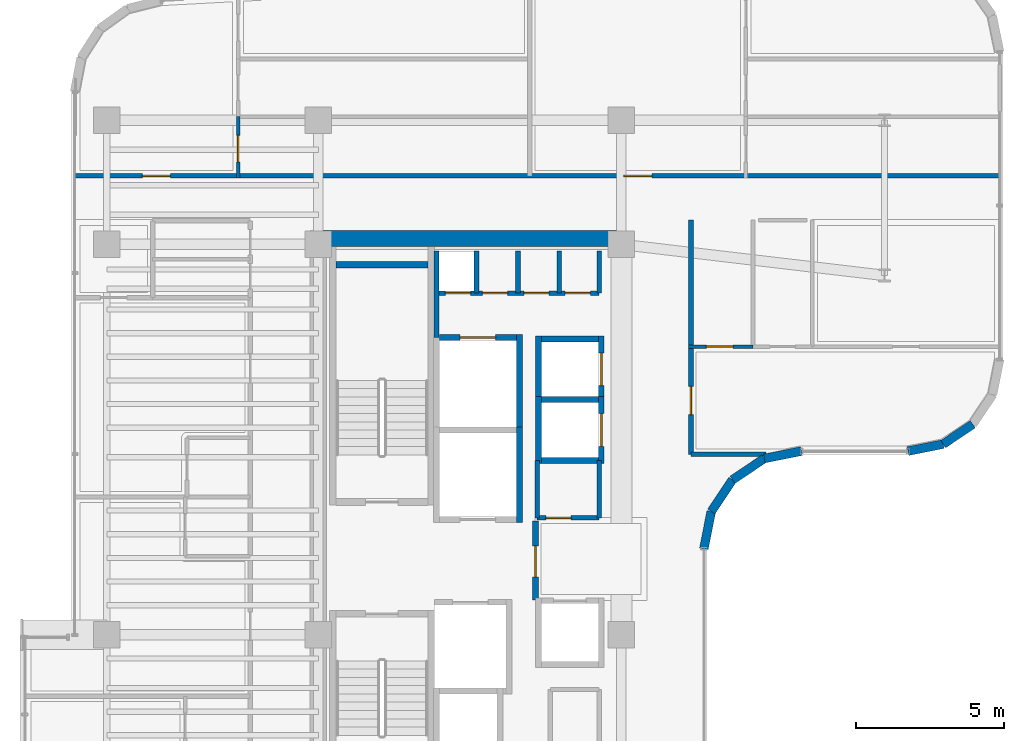
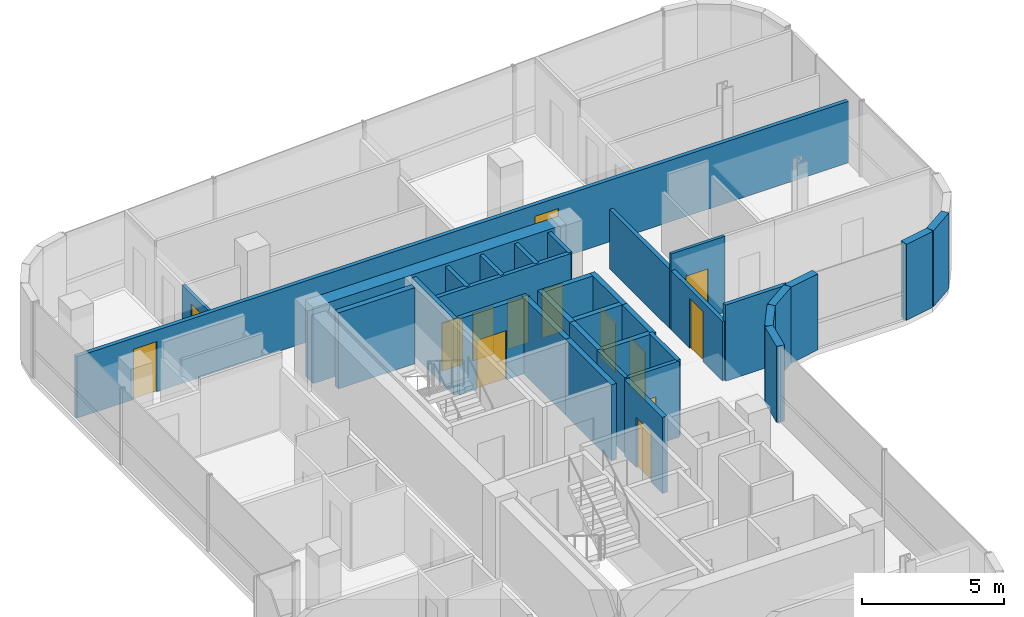
# One storey, part 20 of 24: 33 walls, 14 doors, 14 openings.
"""IFC4 building model written with IfcOpenShell, lengths in metres."""

from ifc_helpers import new_model, si_unit, direction, frame, frame_2d, origin, place, context, subcontext, project, spatial, rectangle, extrude, material, layer, layer_set, type_object, element, fill, save


model = new_model("IFC4")

# Units and contexts
model_context = context("Model", 3, precision=1e-05, world=origin(), true_north=direction((0.0, 1.0)))
body_context = subcontext(model_context, "Body", "Model", "MODEL_VIEW")
ifc_project = project(units=[si_unit("LENGTHUNIT", "METRE"), si_unit("AREAUNIT", "SQUARE_METRE"), si_unit("VOLUMEUNIT", "CUBIC_METRE"), si_unit("PLANEANGLEUNIT", "RADIAN"), si_unit("MASSUNIT", "GRAM", prefix="KILO")], contexts=[model_context])

# Site, building, storey
site_placement = place(None, origin())
site = spatial("IfcSite", under=ifc_project, at=site_placement, CompositionType="ELEMENT")
building_placement = place(site_placement, origin())
building = spatial("IfcBuilding", under=site, at=building_placement, Name="Valdorenza Pilgrim Sanctuary Tower", CompositionType="ELEMENT")
storey_placement = place(building_placement, frame((0.0, 0.0, 230.0)))
storey = spatial("IfcBuildingStorey", under=building, at=storey_placement, Name="L59", CompositionType="ELEMENT", Elevation=230.0)

# Wall
ifc_material_1 = material(Name="Acoustic twin-stud gypsum partition", Category="gypsum")
ifc_layer_1 = layer(ifc_material_1, 0.159912109375, Name="Acoustic twin-stud gypsum partition")
ifc_layer_set_1 = layer_set([ifc_layer_1], Name="Acoustic twin-stud gypsum partition")
wall_type_1 = type_object("IfcWallType", Name="WAL-COR-160", PredefinedType="PARTITIONING", material=ifc_layer_set_1)
wall_1_placement = place(storey_placement, frame((-18.64990234375, 7.449951171875, 0.0), z_axis=(0.0, 0.0, 1.0), x_axis=(0.0, 1.0, 0.0)))
element("IfcWall", 1, at=wall_1_placement, inside=storey, type_object=wall_type_1, Name="L59 Core A North Service West Wall", PredefinedType="PARTITIONING", context=body_context, shape_type="SweptSolid", body=[
    extrude(rectangle(XDim=2.929931640625, YDim=0.159912109375, at=frame_2d((1.46484375, 0.0))), origin(), (0.0, 0.0, 1.0), 3.260009765625),
])

# Wall, openings, doors
wall_2_placement = place(storey_placement, frame((-18.64990234375, 8.949951171875, 0.0), z_axis=(0.0, 0.0, 1.0), x_axis=(1.0, 0.0, 0.0)))
wall_2 = element("IfcWall", 2, at=wall_2_placement, inside=storey, type_object=wall_type_1, Name="L59 Core A North Service South Wall", PredefinedType="PARTITIONING", context=body_context, shape_type="SweptSolid", body=[
    extrude(rectangle(XDim=5.5, YDim=0.159912109375, at=frame_2d((2.75, 0.0))), origin(), (0.0, 0.0, 1.0), 3.260009765625),
])
opening_1_placement = place(wall_2_placement, frame((0.300048828125, 0.0, 0.0)))
opening_1 = element("IfcOpeningElement", 3, at=opening_1_placement, cuts=wall_2, Name="Opening DR-RS1", PredefinedType="OPENING", context=body_context, shape_type="SweptSolid", body=[
    extrude(rectangle(XDim=0.85009765625, YDim=2.050048828125, at=frame_2d((0.425048828125, 1.02490234375))), frame((0.0, 0.0947265625, 0.0), z_axis=(0.0, -1.0, 0.0), x_axis=(1.0, 0.0, 0.0)), (0.0, 0.0, 1.0), 0.189697265625),
])
opening_2_placement = place(wall_2_placement, frame((1.550048828125, 0.0, 0.0)))
opening_2 = element("IfcOpeningElement", 4, at=opening_2_placement, cuts=wall_2, Name="Opening DR-RS1", PredefinedType="OPENING", context=body_context, shape_type="SweptSolid", body=[
    extrude(rectangle(XDim=0.85009765625, YDim=2.050048828125, at=frame_2d((0.425048828125, 1.02490234375))), frame((0.0, 0.0947265625, 0.0), z_axis=(0.0, -1.0, 0.0), x_axis=(1.0, 0.0, 0.0)), (0.0, 0.0, 1.0), 0.189697265625),
])
opening_3_placement = place(wall_2_placement, frame((2.949951171875, 0.0, 0.0)))
opening_3 = element("IfcOpeningElement", 5, at=opening_3_placement, cuts=wall_2, Name="Opening DR-RS1", PredefinedType="OPENING", context=body_context, shape_type="SweptSolid", body=[
    extrude(rectangle(XDim=0.85009765625, YDim=2.050048828125, at=frame_2d((0.425048828125, 1.02490234375))), frame((0.0, 0.0947265625, 0.0), z_axis=(0.0, -1.0, 0.0), x_axis=(1.0, 0.0, 0.0)), (0.0, 0.0, 1.0), 0.189697265625),
])
opening_4_placement = place(wall_2_placement, frame((4.35009765625, 0.0, 0.0)))
opening_4 = element("IfcOpeningElement", 6, at=opening_4_placement, cuts=wall_2, Name="Opening DR-RS1", PredefinedType="OPENING", context=body_context, shape_type="SweptSolid", body=[
    extrude(rectangle(XDim=0.85009765625, YDim=2.050048828125, at=frame_2d((0.425048828125, 1.02490234375))), frame((0.0, 0.0947265625, 0.0), z_axis=(0.0, -1.0, 0.0), x_axis=(1.0, 0.0, 0.0)), (0.0, 0.0, 1.0), 0.189697265625),
])
ifc_material_2 = material(Name="Painted galvanized steel", Category="steel")
door_type_1 = type_object("IfcDoorType", Name="DR-RSR-850", OperationType="NOTDEFINED", PredefinedType="DOOR", material=ifc_material_2)
door_1_placement = place(opening_1_placement, origin())
door_1 = element("IfcDoor", 7, at=door_1_placement, inside=storey, type_object=door_type_1, Name="L59 Core Electrical and Telecom Riser Door", OperationType="SINGLE_SWING_LEFT", OverallHeight=2.050048828125, OverallWidth=0.85009765625, PredefinedType="DOOR", context=body_context, shape_type="SweptSolid", body=[
    extrude(rectangle(XDim=0.85009765625, YDim=2.050048828125, at=frame_2d((0.425048828125, 1.02490234375))), frame((0.0, 0.02490234375, 0.0), z_axis=(0.0, -1.0, 0.0), x_axis=(1.0, 0.0, 0.0)), (0.0, 0.0, 1.0), 0.050048828125),
])
fill(opening_1, door_1)
door_2_placement = place(opening_2_placement, origin())
door_2 = element("IfcDoor", 8, at=door_2_placement, inside=storey, type_object=door_type_1, Name="L59 Housekeeping and Clean Linen Room Door", OperationType="SINGLE_SWING_RIGHT", OverallHeight=2.050048828125, OverallWidth=0.85009765625, PredefinedType="DOOR", context=body_context, shape_type="SweptSolid", body=[
    extrude(rectangle(XDim=0.85009765625, YDim=2.050048828125, at=frame_2d((0.425048828125, 1.02490234375))), frame((0.0, 0.02490234375, 0.0), z_axis=(0.0, -1.0, 0.0), x_axis=(1.0, 0.0, 0.0)), (0.0, 0.0, 1.0), 0.050048828125),
])
fill(opening_2, door_2)
door_3_placement = place(opening_3_placement, origin())
door_3 = element("IfcDoor", 9, at=door_3_placement, inside=storey, type_object=door_type_1, Name="L59 Core IT Server Closet Door", OperationType="SINGLE_SWING_LEFT", OverallHeight=2.050048828125, OverallWidth=0.85009765625, PredefinedType="DOOR", context=body_context, shape_type="SweptSolid", body=[
    extrude(rectangle(XDim=0.85009765625, YDim=2.050048828125, at=frame_2d((0.425048828125, 1.02490234375))), frame((0.0, 0.02490234375, 0.0), z_axis=(0.0, -1.0, 0.0), x_axis=(1.0, 0.0, 0.0)), (0.0, 0.0, 1.0), 0.050048828125),
])
fill(opening_3, door_3)
door_4_placement = place(opening_4_placement, origin())
door_4 = element("IfcDoor", 10, at=door_4_placement, inside=storey, type_object=door_type_1, Name="L59 Core Staff Washroom Door", OperationType="SINGLE_SWING_RIGHT", OverallHeight=2.050048828125, OverallWidth=0.85009765625, PredefinedType="DOOR", context=body_context, shape_type="SweptSolid", body=[
    extrude(rectangle(XDim=0.85009765625, YDim=2.050048828125, at=frame_2d((0.425048828125, 1.02490234375))), frame((0.0, 0.02490234375, 0.0), z_axis=(0.0, -1.0, 0.0), x_axis=(1.0, 0.0, 0.0)), (0.0, 0.0, 1.0), 0.050048828125),
])
fill(opening_4, door_4)

# Walls
for number, where, z_axis, x_axis, name in (
    (11, (-13.14990234375, 8.949951171875, 0.0), (0.0, 0.0, 1.0), (0.0, 1.0, 0.0), "L59 Core A North Service East Wall"),
    (12, (-17.300048828125, 8.949951171875, 0.0), (0.0, 0.0, 1.0), (0.0, 1.0, 0.0), "L59 Core Electrical Riser Wall"),
    (13, (-15.89990234375, 8.949951171875, 0.0), (0.0, 0.0, 1.0), (0.0, 1.0, 0.0), "L59 Core A Split D1"),
    (14, (-14.5, 8.949951171875, 0.0), (0.0, 0.0, 1.0), (0.0, 1.0, 0.0), "L59 Core A Split D2"),
):
    element("IfcWall", number, at=place(storey_placement, frame(where, z_axis=z_axis, x_axis=x_axis)), inside=storey, type_object=wall_type_1, Name=name, PredefinedType="PARTITIONING", context=body_context, shape_type="SweptSolid", body=[
        extrude(rectangle(XDim=1.429931640625, YDim=0.159912109375, at=frame_2d((0.71484375, 0.0))), origin(), (0.0, 0.0, 1.0), 3.260009765625),
    ])
wall_3_placement = place(storey_placement, frame((-13.14990234375, 1.35009765625, 0.0), z_axis=(0.0, 0.0, 1.0), x_axis=(0.0, 1.0, 0.0)))
element("IfcWall", 15, at=wall_3_placement, inside=storey, type_object=wall_type_1, Name="L59 Freed Shaft 6 East Wall", PredefinedType="PARTITIONING", context=body_context, shape_type="SweptSolid", body=[
    extrude(rectangle(XDim=1.949951171875, YDim=0.159912109375, at=frame_2d((0.97509765625, 0.0))), origin(), (0.0, 0.0, 1.0), 3.260009765625),
])

# Wall, openings, doors
wall_4_placement = place(storey_placement, frame((-30.889892578125, 12.919921875, 0.0), z_axis=(0.0, 0.0, 1.0), x_axis=(1.0, 0.0, 0.0)))
wall_4 = element("IfcWall", 16, at=wall_4_placement, inside=storey, type_object=wall_type_1, Name="L59 North Corridor Wall", PredefinedType="PARTITIONING", context=body_context, shape_type="SweptSolid", body=[
    extrude(rectangle(XDim=31.27978515625, YDim=0.159912109375, at=frame_2d((15.639892578125, 0.0))), origin(), (0.0, 0.0, 1.0), 2.634033203125),
])
opening_5_placement = place(wall_4_placement, frame((2.2900390625, 0.0, 0.0)))
opening_5 = element("IfcOpeningElement", 17, at=opening_5_placement, cuts=wall_4, Name="Opening DR-UN1", PredefinedType="OPENING", context=body_context, shape_type="SweptSolid", body=[
    extrude(rectangle(XDim=0.949951171875, YDim=2.14990234375, at=frame_2d((0.47509765625, 1.074951171875))), frame((0.0, 0.0947265625, 0.0), z_axis=(0.0, -1.0, 0.0), x_axis=(1.0, 0.0, 0.0)), (0.0, 0.0, 1.0), 0.189697265625),
])
opening_6_placement = place(wall_4_placement, frame((18.570068359375, 0.0, 0.0)))
opening_6 = element("IfcOpeningElement", 18, at=opening_6_placement, cuts=wall_4, Name="Opening DR-UN1", PredefinedType="OPENING", context=body_context, shape_type="SweptSolid", body=[
    extrude(rectangle(XDim=0.949951171875, YDim=2.14990234375, at=frame_2d((0.47509765625, 1.074951171875))), frame((0.0, 0.0947265625, 0.0), z_axis=(0.0, -1.0, 0.0), x_axis=(1.0, 0.0, 0.0)), (0.0, 0.0, 1.0), 0.189697265625),
])
ifc_material_3 = material(Name="Solid-core European oak timber", Category="wood")
door_type_2 = type_object("IfcDoorType", Name="DR-UNIT-950", OperationType="NOTDEFINED", PredefinedType="DOOR", material=ifc_material_3)
door_5_placement = place(opening_5_placement, origin())
door_5 = element("IfcDoor", 19, at=door_5_placement, inside=storey, type_object=door_type_2, Name="L59 North Sanctuary Apartment L59-N1 Entrance Door", OperationType="SINGLE_SWING_RIGHT", OverallHeight=2.14990234375, OverallWidth=0.949951171875, PredefinedType="DOOR", context=body_context, shape_type="SweptSolid", body=[
    extrude(rectangle(XDim=0.949951171875, YDim=2.14990234375, at=frame_2d((0.47509765625, 1.074951171875))), frame((0.0, 0.02490234375, 0.0), z_axis=(0.0, -1.0, 0.0), x_axis=(1.0, 0.0, 0.0)), (0.0, 0.0, 1.0), 0.050048828125),
])
fill(opening_5, door_5)
door_6_placement = place(opening_6_placement, origin())
door_6 = element("IfcDoor", 20, at=door_6_placement, inside=storey, type_object=door_type_2, Name="L59 North Sanctuary Apartment L59-N2 Entrance Door", OperationType="SINGLE_SWING_RIGHT", OverallHeight=2.14990234375, OverallWidth=0.949951171875, PredefinedType="DOOR", context=body_context, shape_type="SweptSolid", body=[
    extrude(rectangle(XDim=0.949951171875, YDim=2.14990234375, at=frame_2d((0.47509765625, 1.074951171875))), frame((0.0, 0.02490234375, 0.0), z_axis=(0.0, -1.0, 0.0), x_axis=(1.0, 0.0, 0.0)), (0.0, 0.0, 1.0), 0.050048828125),
])
fill(opening_6, door_6)

# Wall, opening, door
wall_5_placement = place(storey_placement, frame((-10.050048828125, 3.5, 0.0), z_axis=(0.0, 0.0, 1.0), x_axis=(0.0, 1.0, 0.0)))
wall_5 = element("IfcWall", 21, at=wall_5_placement, inside=storey, type_object=wall_type_1, Name="L59 East Stub Corridor Wall", PredefinedType="PARTITIONING", context=body_context, shape_type="SweptSolid", body=[
    extrude(rectangle(XDim=7.919921875, YDim=0.159912109375, at=frame_2d((3.9599609375, 0.0))), origin(), (0.0, 0.0, 1.0), 2.5439453125),
])
opening_7_placement = place(wall_5_placement, frame((1.346923828125, 0.0, 0.0)))
opening_7 = element("IfcOpeningElement", 22, at=opening_7_placement, cuts=wall_5, Name="Opening DR-UN1", PredefinedType="OPENING", context=body_context, shape_type="SweptSolid", body=[
    extrude(rectangle(XDim=0.949951171875, YDim=2.14990234375, at=frame_2d((0.47509765625, 1.074951171875))), frame((0.0, 0.0947265625, 0.0), z_axis=(0.0, -1.0, 0.0), x_axis=(1.0, 0.0, 0.0)), (0.0, 0.0, 1.0), 0.189697265625),
])
door_7_placement = place(opening_7_placement, origin())
door_7 = element("IfcDoor", 23, at=door_7_placement, inside=storey, type_object=door_type_2, Name="L59 East Sanctuary Apartment L59-E1 Entrance Door", OperationType="SINGLE_SWING_RIGHT", OverallHeight=2.14990234375, OverallWidth=0.949951171875, PredefinedType="DOOR", context=body_context, shape_type="SweptSolid", body=[
    extrude(rectangle(XDim=0.949951171875, YDim=2.14990234375, at=frame_2d((0.47509765625, 1.074951171875))), frame((0.0, 0.02490234375, 0.0), z_axis=(0.0, -1.0, 0.0), x_axis=(1.0, 0.0, 0.0)), (0.0, 0.0, 1.0), 0.050048828125),
])
fill(opening_7, door_7)

# Walls
wall_6_placement = place(storey_placement, frame((-10.050048828125, 3.5, 0.0), z_axis=(0.0, 0.0, 1.0), x_axis=(1.0, 0.0, 0.0)))
element("IfcWall", 24, at=wall_6_placement, inside=storey, type_object=wall_type_1, Name="L59 East Stub South Wall", PredefinedType="PARTITIONING", context=body_context, shape_type="SweptSolid", body=[
    extrude(rectangle(XDim=2.545654296875, YDim=0.159912109375, at=frame_2d((1.27294921875, 0.0))), origin(), (0.0, 0.0, 1.0), 3.260009765625),
])
ifc_material_4 = material(Name="Concrete C50/60", Category="concrete")
ifc_layer_2 = layer(ifc_material_4, 0.550048828125, Name="Concrete C50/60")
ifc_layer_set_2 = layer_set([ifc_layer_2], Name="Concrete C50/60")
wall_type_2 = type_object("IfcWallType", Name="WAL-COR-550", PredefinedType="SHEAR", material=ifc_layer_set_2)
wall_7_placement = place(storey_placement, frame((-22.64990234375, 10.800048828125, 0.0), z_axis=(0.0, 0.0, 1.0), x_axis=(1.0, 0.0, 0.0)))
element("IfcWall", 25, at=wall_7_placement, inside=storey, type_object=wall_type_2, Name="L59 Split Core A Shear Wall N", PredefinedType="SHEAR", context=body_context, shape_type="SweptSolid", body=[
    extrude(rectangle(XDim=10.25, YDim=0.550048828125, at=frame_2d((5.125, 0.0))), origin(), (0.0, 0.0, 1.0), 3.260009765625),
])
ifc_material_5 = material(Name="Honed travertine limestone", Category="masonry")
ifc_layer_3 = layer(ifc_material_5, 0.300048828125, Name="Honed travertine limestone")
ifc_layer_set_3 = layer_set([ifc_layer_3], Name="Honed travertine limestone")
wall_type_3 = type_object("IfcWallType", Name="WAL-EXT-300", PredefinedType="SOLIDWALL", material=ifc_layer_set_3)
wall_8_placement = place(storey_placement, frame((-0.5166015625, 4.5166015625, 0.0), z_axis=(0.0, 0.0, 1.0), x_axis=(-0.831426265255, -0.555635100982, 0.0)))
element("IfcWall", 26, at=wall_8_placement, inside=storey, type_object=wall_type_3, Name="L59 Rounded Wind-Corner Stone Pier 14", PredefinedType="SOLIDWALL", context=body_context, shape_type="SweptSolid", body=[
    extrude(rectangle(XDim=1.204833984375, YDim=0.300048828125, at=frame_2d((0.6025390625, 0.0))), origin(), (0.0, 0.0, 1.0), 3.260009765625),
])
wall_9_placement = place(storey_placement, frame((-1.518310546875, 3.84716796875, 0.0), z_axis=(0.0, 0.0, 1.0), x_axis=(-0.980804027463, -0.194996050505, 0.0)))
element("IfcWall", 27, at=wall_9_placement, inside=storey, type_object=wall_type_3, Name="L59 Rounded Wind-Corner Stone Pier 15", PredefinedType="SOLIDWALL", context=body_context, shape_type="SweptSolid", body=[
    extrude(rectangle(XDim=1.2158203125, YDim=0.300048828125, at=frame_2d((0.60791015625, 0.0))), origin(), (0.0, 0.0, 1.0), 3.260009765625),
])
wall_10_placement = place(storey_placement, frame((-6.310791015625, 3.610107421875, 0.0), z_axis=(0.0, 0.0, 1.0), x_axis=(-0.980778058848, -0.195126623715, 0.0)))
element("IfcWall", 28, at=wall_10_placement, inside=storey, type_object=wall_type_3, Name="L59 Rounded Wind-Corner Stone Pier 17", PredefinedType="SOLIDWALL", context=body_context, shape_type="SweptSolid", body=[
    extrude(rectangle(XDim=1.28125, YDim=0.300048828125, at=frame_2d((0.640625, 0.0))), origin(), (0.0, 0.0, 1.0), 3.260009765625),
])
for number, where, z_axis, x_axis, name in (
    (29, (-7.5673828125, 3.360107421875, 0.0), (0.0, 0.0, 1.0), (-0.831497739511, -0.555528135371, 0.0), "L59 Rounded Wind-Corner Stone Pier 18"),
    (30, (-8.64208984375, 2.64208984375, 0.0), (0.0, 0.0, 1.0), (-0.555528135371, -0.831497739511, 0.0), "L59 Rounded Wind-Corner Stone Pier 19"),
):
    element("IfcWall", number, at=place(storey_placement, frame(where, z_axis=z_axis, x_axis=x_axis)), inside=storey, type_object=wall_type_3, Name=name, PredefinedType="SOLIDWALL", context=body_context, shape_type="SweptSolid", body=[
        extrude(rectangle(XDim=1.29248046875, YDim=0.300048828125, at=frame_2d((0.646240234375, 0.0))), origin(), (0.0, 0.0, 1.0), 3.260009765625),
    ])
wall_11_placement = place(storey_placement, frame((-9.360107421875, 1.5673828125, 0.0), z_axis=(0.0, 0.0, 1.0), x_axis=(-0.195126623715, -0.980778058848, 0.0)))
element("IfcWall", 31, at=wall_11_placement, inside=storey, type_object=wall_type_3, Name="L59 Rounded Wind-Corner Stone Pier 20", PredefinedType="SOLIDWALL", context=body_context, shape_type="SweptSolid", body=[
    extrude(rectangle(XDim=1.28125, YDim=0.300048828125, at=frame_2d((0.640625, 0.0))), origin(), (0.0, 0.0, 1.0), 3.260009765625),
])

# Wall, opening, door
ifc_material_6 = material(Name="Gypsum shaftwall partition", Category="gypsum")
ifc_layer_4 = layer(ifc_material_6, 0.199951171875, Name="Gypsum shaftwall partition")
ifc_layer_set_4 = layer_set([ifc_layer_4], Name="Gypsum shaftwall partition")
wall_type_4 = type_object("IfcWallType", Name="WAL-FFL-200", PredefinedType="PARTITIONING", material=ifc_layer_set_4)
wall_12_placement = place(storey_placement, frame((-15.300048828125, -1.419921875, 0.0), z_axis=(0.0, 0.0, 1.0), x_axis=(0.0, 1.0, 0.0)))
wall_12 = element("IfcWall", 32, at=wall_12_placement, inside=storey, type_object=wall_type_4, Name="L59 Core A Firefighting Lobby East Wall", PredefinedType="PARTITIONING", context=body_context, shape_type="SweptSolid", body=[
    extrude(rectangle(XDim=2.669921875, YDim=0.199951171875, at=frame_2d((1.3349609375, 0.0))), origin(), (0.0, 0.0, 1.0), 3.260009765625),
])
opening_8_placement = place(wall_12_placement, frame((0.780029296875, 0.0, 0.0)))
opening_8 = element("IfcOpeningElement", 33, at=opening_8_placement, cuts=wall_12, Name="Opening DR-FL1", PredefinedType="OPENING", context=body_context, shape_type="SweptSolid", body=[
    extrude(rectangle(XDim=1.050048828125, YDim=2.14990234375, at=frame_2d((0.52490234375, 1.074951171875))), frame((0.0, 0.11474609375, 0.0), z_axis=(0.0, -1.0, 0.0), x_axis=(1.0, 0.0, 0.0)), (0.0, 0.0, 1.0), 0.229736328125),
])
door_type_3 = type_object("IfcDoorType", Name="DR-FFL-1050", OperationType="NOTDEFINED", PredefinedType="DOOR", material=ifc_material_2)
door_8_placement = place(opening_8_placement, origin())
door_8 = element("IfcDoor", 34, at=door_8_placement, inside=storey, type_object=door_type_3, Name="L59 Core A Firefighting Lobby Door", OperationType="SINGLE_SWING_RIGHT", OverallHeight=2.14990234375, OverallWidth=1.050048828125, PredefinedType="DOOR", context=body_context, shape_type="SweptSolid", body=[
    extrude(rectangle(XDim=1.050048828125, YDim=2.14990234375, at=frame_2d((0.52490234375, 1.074951171875))), frame((0.0, 0.02490234375, 0.0), z_axis=(0.0, -1.0, 0.0), x_axis=(1.0, 0.0, 0.0)), (0.0, 0.0, 1.0), 0.050048828125),
])
fill(opening_8, door_8)

ifc_material_7 = material(Name="Moisture-resistant gypsum partition", Category="gypsum")
ifc_layer_5 = layer(ifc_material_7, 0.1201171875, Name="Moisture-resistant gypsum partition")
ifc_layer_set_5 = layer_set([ifc_layer_5], Name="Moisture-resistant gypsum partition")
wall_type_5 = type_object("IfcWallType", Name="WAL-INT-120", PredefinedType="PARTITIONING", material=ifc_layer_set_5)
wall_13_placement = place(storey_placement, frame((-25.360595703125, 12.840087890625, 0.0), z_axis=(0.0, 0.0, 1.0), x_axis=(0.0, 1.0, 0.0)))
wall_13 = element("IfcWall", 35, at=wall_13_placement, inside=storey, type_object=wall_type_5, Name="L59 North Sanctuary Apartment L59-N1 Kitchen Door Wall", PredefinedType="PARTITIONING", context=body_context, shape_type="SweptSolid", body=[
    extrude(rectangle(XDim=2.079833984375, YDim=0.1201171875, at=frame_2d((1.0400390625, 0.0))), origin(), (0.0, 0.0, 1.0), 2.5439453125),
])
opening_9_placement = place(wall_13_placement, frame((0.550048828125, 0.0, 0.0)))
opening_9 = element("IfcOpeningElement", 36, at=opening_9_placement, cuts=wall_13, Name="Opening DR-RM1", PredefinedType="OPENING", context=body_context, shape_type="SweptSolid", body=[
    extrude(rectangle(XDim=0.89990234375, YDim=2.10009765625, at=frame_2d((0.449951171875, 1.050048828125))), frame((0.0, 0.074951171875, 0.0), z_axis=(0.0, -1.0, 0.0), x_axis=(1.0, 0.0, 0.0)), (0.0, 0.0, 1.0), 0.14990234375),
])
door_type_4 = type_object("IfcDoorType", Name="DR-ROOM-900", OperationType="NOTDEFINED", PredefinedType="DOOR", material=ifc_material_3)
door_9_placement = place(opening_9_placement, origin())
door_9 = element("IfcDoor", 37, at=door_9_placement, inside=storey, type_object=door_type_4, Name="L59 North Sanctuary Apartment L59-N1 Kitchen Door", OperationType="SINGLE_SWING_RIGHT", OverallHeight=2.10009765625, OverallWidth=0.89990234375, PredefinedType="DOOR", context=body_context, shape_type="SweptSolid", body=[
    extrude(rectangle(XDim=0.89990234375, YDim=2.10009765625, at=frame_2d((0.449951171875, 1.050048828125))), frame((0.0, 0.02490234375, 0.0), z_axis=(0.0, -1.0, 0.0), x_axis=(1.0, 0.0, 0.0)), (0.0, 0.0, 1.0), 0.050048828125),
])
fill(opening_9, door_9)

wall_14_placement = place(storey_placement, frame((-10.1298828125, 7.143310546875, 0.0), z_axis=(0.0, 0.0, 1.0), x_axis=(1.0, 0.0, 0.0)))
wall_14 = element("IfcWall", 38, at=wall_14_placement, inside=storey, type_object=wall_type_5, Name="L59 East Sanctuary Apartment L59-E1 Kitchen Door Wall", PredefinedType="PARTITIONING", context=body_context, shape_type="SweptSolid", body=[
    extrude(rectangle(XDim=2.179931640625, YDim=0.1201171875, at=frame_2d((1.08984375, 0.0))), origin(), (0.0, 0.0, 1.0), 3.260009765625),
])
opening_10_placement = place(wall_14_placement, frame((0.60009765625, 0.0, 0.0)))
opening_10 = element("IfcOpeningElement", 39, at=opening_10_placement, cuts=wall_14, Name="Opening DR-RM1", PredefinedType="OPENING", context=body_context, shape_type="SweptSolid", body=[
    extrude(rectangle(XDim=0.89990234375, YDim=2.10009765625, at=frame_2d((0.449951171875, 1.050048828125))), frame((0.0, 0.074951171875, 0.0), z_axis=(0.0, -1.0, 0.0), x_axis=(1.0, 0.0, 0.0)), (0.0, 0.0, 1.0), 0.14990234375),
])
door_10_placement = place(opening_10_placement, origin())
door_10 = element("IfcDoor", 40, at=door_10_placement, inside=storey, type_object=door_type_4, Name="L59 East Sanctuary Apartment L59-E1 Kitchen Door", OperationType="SINGLE_SWING_RIGHT", OverallHeight=2.10009765625, OverallWidth=0.89990234375, PredefinedType="DOOR", context=body_context, shape_type="SweptSolid", body=[
    extrude(rectangle(XDim=0.89990234375, YDim=2.10009765625, at=frame_2d((0.449951171875, 1.050048828125))), frame((0.0, 0.02490234375, 0.0), z_axis=(0.0, -1.0, 0.0), x_axis=(1.0, 0.0, 0.0)), (0.0, 0.0, 1.0), 0.050048828125),
])
fill(opening_10, door_10)

# Walls
ifc_material_8 = material(Name="Autoclaved aerated concrete blockwork", Category="masonry")
ifc_layer_6 = layer(ifc_material_8, 0.199951171875, Name="Autoclaved aerated concrete blockwork")
ifc_layer_set_6 = layer_set([ifc_layer_6], Name="Autoclaved aerated concrete blockwork")
wall_type_6 = type_object("IfcWallType", Name="WAL-SHF-200", PredefinedType="MOVABLE", material=ifc_layer_set_6)
wall_15_placement = place(storey_placement, frame((-15.85009765625, 1.199951171875, 0.0), z_axis=(0.0, 0.0, 1.0), x_axis=(0.0, 1.0, 0.0)))
element("IfcWall", 41, at=wall_15_placement, inside=storey, type_object=wall_type_6, Name="L59 Lift FFL-01 Hoistway Wall East", PredefinedType="MOVABLE", context=body_context, shape_type="SweptSolid", body=[
    extrude(rectangle(XDim=3.22509765625, YDim=0.199951171875, at=frame_2d((1.612548828125, 0.0))), origin(), (0.0, 0.0, 1.0), 3.260009765625),
])
wall_16_placement = place(storey_placement, frame((-15.85009765625, 4.22509765625, 0.0), z_axis=(0.0, 0.0, 1.0), x_axis=(0.0, 1.0, 0.0)))
element("IfcWall", 42, at=wall_16_placement, inside=storey, type_object=wall_type_6, Name="L59 Lift SVL-01 Hoistway Wall East", PredefinedType="MOVABLE", context=body_context, shape_type="SweptSolid", body=[
    extrude(rectangle(XDim=3.324951171875, YDim=0.199951171875, at=frame_2d((1.66259765625, 0.0))), origin(), (0.0, 0.0, 1.0), 3.260009765625),
])

# Wall, opening, door
wall_17_placement = place(storey_placement, frame((-18.550048828125, 7.449951171875, 0.0), z_axis=(0.0, 0.0, 1.0), x_axis=(1.0, 0.0, 0.0)))
wall_17 = element("IfcWall", 43, at=wall_17_placement, inside=storey, type_object=wall_type_6, Name="L59 Lift SVL-01 Hoistway Wall North", PredefinedType="MOVABLE", context=body_context, shape_type="SweptSolid", body=[
    extrude(rectangle(XDim=2.60009765625, YDim=0.199951171875, at=frame_2d((1.300048828125, 0.0))), origin(), (0.0, 0.0, 1.0), 3.260009765625),
])
opening_11_placement = place(wall_17_placement, frame((0.699951171875, 0.0, 0.0)))
opening_11 = element("IfcOpeningElement", 44, at=opening_11_placement, cuts=wall_17, Name="Opening LD-02", PredefinedType="OPENING", context=body_context, shape_type="SweptSolid", body=[
    extrude(rectangle(XDim=1.199951171875, YDim=2.10009765625, at=frame_2d((0.60009765625, 1.050048828125))), frame((0.0, 0.11474609375, 0.0), z_axis=(0.0, -1.0, 0.0), x_axis=(1.0, 0.0, 0.0)), (0.0, 0.0, 1.0), 0.229736328125),
])
ifc_material_9 = material(Name="Brushed stainless steel Grade 316", Category="steel")
door_type_5 = type_object("IfcDoorType", Name="DR-LFT-1200", OperationType="DOUBLE_DOOR_SLIDING", PredefinedType="DOOR", material=ifc_material_9)
door_11_placement = place(opening_11_placement, origin())
door_11 = element("IfcDoor", 45, at=door_11_placement, inside=storey, type_object=door_type_5, Name="L59 Lift SVL-01 Sliding Landing Door", OperationType="DOUBLE_DOOR_SLIDING", OverallHeight=2.10009765625, OverallWidth=1.199951171875, PredefinedType="DOOR", context=body_context, shape_type="SweptSolid", body=[
    extrude(rectangle(XDim=1.199951171875, YDim=2.10009765625, at=frame_2d((0.60009765625, 1.050048828125))), frame((0.0, 0.02490234375, 0.0), z_axis=(0.0, -1.0, 0.0), x_axis=(1.0, 0.0, 0.0)), (0.0, 0.0, 1.0), 0.050048828125),
])
fill(opening_11, door_11)

# Wall
wall_18_placement = place(storey_placement, frame((-15.199951171875, 3.199951171875, 0.0), z_axis=(0.0, 0.0, 1.0), x_axis=(0.0, 1.0, 0.0)))
element("IfcWall", 46, at=wall_18_placement, inside=storey, type_object=wall_type_6, Name="L59 Lift PL-09 Hoistway Wall West", PredefinedType="MOVABLE", context=body_context, shape_type="SweptSolid", body=[
    extrude(rectangle(XDim=2.25, YDim=0.199951171875, at=frame_2d((1.125, 0.0))), origin(), (0.0, 0.0, 1.0), 3.260009765625),
])

# Wall, opening, door
wall_19_placement = place(storey_placement, frame((-13.080078125, 3.199951171875, 0.0), z_axis=(0.0, 0.0, 1.0), x_axis=(0.0, 1.0, 0.0)))
wall_19 = element("IfcWall", 47, at=wall_19_placement, inside=storey, type_object=wall_type_6, Name="L59 Lift PL-09 Hoistway Wall East", PredefinedType="MOVABLE", context=body_context, shape_type="SweptSolid", body=[
    extrude(rectangle(XDim=2.25, YDim=0.199951171875, at=frame_2d((1.125, 0.0))), origin(), (0.0, 0.0, 1.0), 3.260009765625),
])
opening_12_placement = place(wall_19_placement, frame((0.574951171875, 0.0, 0.0)))
opening_12 = element("IfcOpeningElement", 48, at=opening_12_placement, cuts=wall_19, Name="Opening LD-01", PredefinedType="OPENING", context=body_context, shape_type="SweptSolid", body=[
    extrude(rectangle(XDim=1.10009765625, YDim=2.10009765625, at=frame_2d((0.550048828125, 1.050048828125))), frame((0.0, 0.11474609375, 0.0), z_axis=(0.0, -1.0, 0.0), x_axis=(1.0, 0.0, 0.0)), (0.0, 0.0, 1.0), 0.229736328125),
])
door_type_6 = type_object("IfcDoorType", Name="DR-LFT-1100", OperationType="DOUBLE_DOOR_SLIDING", PredefinedType="DOOR", material=ifc_material_9)
door_12_placement = place(opening_12_placement, origin())
door_12 = element("IfcDoor", 49, at=door_12_placement, inside=storey, type_object=door_type_6, Name="L59 Lift PL-09 Sliding Landing Door", OperationType="DOUBLE_DOOR_SLIDING", OverallHeight=2.10009765625, OverallWidth=1.10009765625, PredefinedType="DOOR", context=body_context, shape_type="SweptSolid", body=[
    extrude(rectangle(XDim=1.10009765625, YDim=2.10009765625, at=frame_2d((0.550048828125, 1.050048828125))), frame((0.0, 0.02490234375, 0.0), z_axis=(0.0, -1.0, 0.0), x_axis=(1.0, 0.0, 0.0)), (0.0, 0.0, 1.0), 0.050048828125),
])
fill(opening_12, door_12)

# Walls
for number, where, z_axis, x_axis, name in (
    (50, (-15.10009765625, 3.300048828125, 0.0), (0.0, 0.0, 1.0), (1.0, 0.0, 0.0), "L59 Lift PL-09 Hoistway Wall South"),
    (51, (-15.10009765625, 5.35009765625, 0.0), (0.0, 0.0, 1.0), (1.0, 0.0, 0.0), "L59 Lift PL-09 Hoistway Wall North"),
):
    element("IfcWall", number, at=place(storey_placement, frame(where, z_axis=z_axis, x_axis=x_axis)), inside=storey, type_object=wall_type_6, Name=name, PredefinedType="MOVABLE", context=body_context, shape_type="SweptSolid", body=[
        extrude(rectangle(XDim=1.920166015625, YDim=0.199951171875, at=frame_2d((0.9599609375, 0.0))), origin(), (0.0, 0.0, 1.0), 3.260009765625),
    ])
wall_20_placement = place(storey_placement, frame((-15.199951171875, 5.25, 0.0), z_axis=(0.0, 0.0, 1.0), x_axis=(0.0, 1.0, 0.0)))
element("IfcWall", 52, at=wall_20_placement, inside=storey, type_object=wall_type_6, Name="L59 Lift PL-10 Hoistway Wall West", PredefinedType="MOVABLE", context=body_context, shape_type="SweptSolid", body=[
    extrude(rectangle(XDim=2.25, YDim=0.199951171875, at=frame_2d((1.125, 0.0))), origin(), (0.0, 0.0, 1.0), 3.260009765625),
])

# Wall, opening, door
wall_21_placement = place(storey_placement, frame((-13.080078125, 5.25, 0.0), z_axis=(0.0, 0.0, 1.0), x_axis=(0.0, 1.0, 0.0)))
wall_21 = element("IfcWall", 53, at=wall_21_placement, inside=storey, type_object=wall_type_6, Name="L59 Lift PL-10 Hoistway Wall East", PredefinedType="MOVABLE", context=body_context, shape_type="SweptSolid", body=[
    extrude(rectangle(XDim=2.25, YDim=0.199951171875, at=frame_2d((1.125, 0.0))), origin(), (0.0, 0.0, 1.0), 3.260009765625),
])
opening_13_placement = place(wall_21_placement, frame((0.574951171875, 0.0, 0.0)))
opening_13 = element("IfcOpeningElement", 54, at=opening_13_placement, cuts=wall_21, Name="Opening LD-01", PredefinedType="OPENING", context=body_context, shape_type="SweptSolid", body=[
    extrude(rectangle(XDim=1.10009765625, YDim=2.10009765625, at=frame_2d((0.550048828125, 1.050048828125))), frame((0.0, 0.11474609375, 0.0), z_axis=(0.0, -1.0, 0.0), x_axis=(1.0, 0.0, 0.0)), (0.0, 0.0, 1.0), 0.229736328125),
])
door_13_placement = place(opening_13_placement, origin())
door_13 = element("IfcDoor", 55, at=door_13_placement, inside=storey, type_object=door_type_6, Name="L59 Lift PL-10 Sliding Landing Door", OperationType="DOUBLE_DOOR_SLIDING", OverallHeight=2.10009765625, OverallWidth=1.10009765625, PredefinedType="DOOR", context=body_context, shape_type="SweptSolid", body=[
    extrude(rectangle(XDim=1.10009765625, YDim=2.10009765625, at=frame_2d((0.550048828125, 1.050048828125))), frame((0.0, 0.02490234375, 0.0), z_axis=(0.0, -1.0, 0.0), x_axis=(1.0, 0.0, 0.0)), (0.0, 0.0, 1.0), 0.050048828125),
])
fill(opening_13, door_13)

# Walls
wall_22_placement = place(storey_placement, frame((-15.10009765625, 7.39990234375, 0.0), z_axis=(0.0, 0.0, 1.0), x_axis=(1.0, 0.0, 0.0)))
element("IfcWall", 56, at=wall_22_placement, inside=storey, type_object=wall_type_6, Name="L59 Lift PL-10 Hoistway Wall North", PredefinedType="MOVABLE", context=body_context, shape_type="SweptSolid", body=[
    extrude(rectangle(XDim=1.920166015625, YDim=0.199951171875, at=frame_2d((0.9599609375, 0.0))), origin(), (0.0, 0.0, 1.0), 3.260009765625),
])
ifc_material_10 = material(Name="Concrete C40/50", Category="concrete")
ifc_layer_7 = layer(ifc_material_10, 0.219970703125, Name="Concrete C40/50")
ifc_layer_set_7 = layer_set([ifc_layer_7], Name="Concrete C40/50")
wall_type_7 = type_object("IfcWallType", Name="WAL-STR-SHF-220", PredefinedType="SHEAR", material=ifc_layer_set_7)
wall_23_placement = place(storey_placement, frame((-22.050048828125, 9.909912109375, 0.0), z_axis=(0.0, 0.0, 1.0), x_axis=(1.0, 0.0, 0.0)))
element("IfcWall", 57, at=wall_23_placement, inside=storey, type_object=wall_type_7, Name="L59 ST-A1 Structural Stairwell Wall N", PredefinedType="SHEAR", context=body_context, shape_type="SweptSolid", body=[
    extrude(rectangle(XDim=3.110107421875, YDim=0.219970703125, at=frame_2d((1.55517578125, 0.0))), origin(), (0.0, 0.0, 1.0), 3.260009765625),
])
ifc_layer_8 = layer(ifc_material_1, 0.14990234375, Name="Acoustic twin-stud gypsum partition")
ifc_layer_set_8 = layer_set([ifc_layer_8], Name="Acoustic twin-stud gypsum partition")
wall_type_8 = type_object("IfcWallType", Name="WAL-UNT-150", PredefinedType="PARTITIONING", material=ifc_layer_set_8)
wall_24_placement = place(storey_placement, frame((-15.25, 1.35009765625, 0.0), z_axis=(0.0, 0.0, 1.0), x_axis=(0.0, 1.0, 0.0)))
element("IfcWall", 58, at=wall_24_placement, inside=storey, type_object=wall_type_8, Name="L59 Freed Shaft 6 West Wall", PredefinedType="PARTITIONING", context=body_context, shape_type="SweptSolid", body=[
    extrude(rectangle(XDim=1.949951171875, YDim=0.14990234375, at=frame_2d((0.97509765625, 0.0))), origin(), (0.0, 0.0, 1.0), 3.260009765625),
])

# Wall, opening, door
wall_25_placement = place(storey_placement, frame((-15.25, 1.35009765625, 0.0), z_axis=(0.0, 0.0, 1.0), x_axis=(1.0, 0.0, 0.0)))
wall_25 = element("IfcWall", 59, at=wall_25_placement, inside=storey, type_object=wall_type_8, Name="L59 Freed Shaft 6 South Wall", PredefinedType="PARTITIONING", context=body_context, shape_type="SweptSolid", body=[
    extrude(rectangle(XDim=2.10009765625, YDim=0.14990234375, at=frame_2d((1.050048828125, 0.0))), origin(), (0.0, 0.0, 1.0), 3.260009765625),
])
opening_14_placement = place(wall_25_placement, frame((0.300048828125, 0.0, 0.0)))
opening_14 = element("IfcOpeningElement", 60, at=opening_14_placement, cuts=wall_25, Name="Opening DR-RS1", PredefinedType="OPENING", context=body_context, shape_type="SweptSolid", body=[
    extrude(rectangle(XDim=0.85009765625, YDim=2.050048828125, at=frame_2d((0.425048828125, 1.02490234375))), frame((0.0, 0.08984375, 0.0), z_axis=(0.0, -1.0, 0.0), x_axis=(1.0, 0.0, 0.0)), (0.0, 0.0, 1.0), 0.1796875),
])
door_14_placement = place(opening_14_placement, origin())
door_14 = element("IfcDoor", 61, at=door_14_placement, inside=storey, type_object=door_type_1, Name="L59 High-Rise Butler Pantry Door", OperationType="SINGLE_SWING_RIGHT", OverallHeight=2.050048828125, OverallWidth=0.85009765625, PredefinedType="DOOR", context=body_context, shape_type="SweptSolid", body=[
    extrude(rectangle(XDim=0.85009765625, YDim=2.050048828125, at=frame_2d((0.425048828125, 1.02490234375))), frame((0.0, 0.02490234375, 0.0), z_axis=(0.0, -1.0, 0.0), x_axis=(1.0, 0.0, 0.0)), (0.0, 0.0, 1.0), 0.050048828125),
])
fill(opening_14, door_14)

save(model, "model.ifc")
